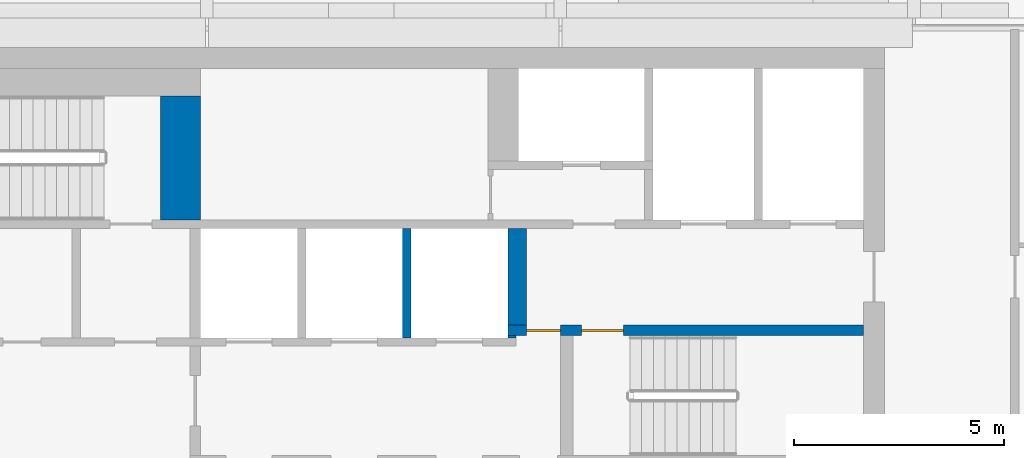
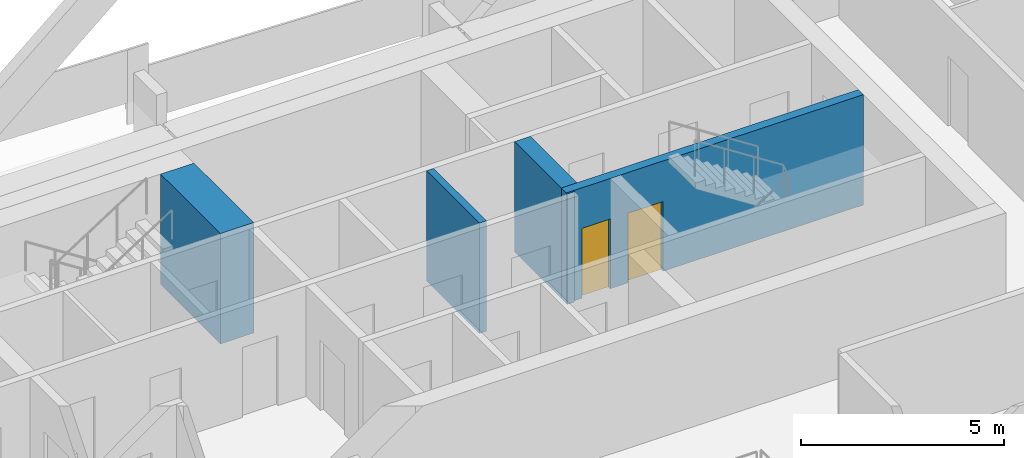
# One storey, part 15 of 22: 5 walls, 2 doors, 2 openings.
"""IFC4 building model written with IfcOpenShell, lengths in metres."""

from ifc_helpers import new_model, si_unit, direction, frame, frame_2d, origin, place, context, subcontext, project, spatial, rectangle, extrude, material, layer, layer_set, type_object, element, fill, save


model = new_model("IFC4")

# Units and contexts
model_context = context("Model", 3, precision=1e-05, world=origin(), true_north=direction((0.0, 1.0)))
body_context = subcontext(model_context, "Body", "Model", "MODEL_VIEW")
ifc_project = project(units=[si_unit("LENGTHUNIT", "METRE"), si_unit("AREAUNIT", "SQUARE_METRE"), si_unit("VOLUMEUNIT", "CUBIC_METRE"), si_unit("PLANEANGLEUNIT", "RADIAN"), si_unit("MASSUNIT", "GRAM", prefix="KILO")], contexts=[model_context])

# Site, building, storey
site_placement = place(None, origin())
site = spatial("IfcSite", under=ifc_project, at=site_placement, CompositionType="ELEMENT")
building_placement = place(site_placement, origin())
building = spatial("IfcBuilding", under=site, at=building_placement, Name="Saffron Gate Tower", CompositionType="ELEMENT")
storey_placement = place(building_placement, frame((0.0, 0.0, 285.14990234375)))
storey = spatial("IfcBuildingStorey", under=building, at=storey_placement, Name="L69", CompositionType="ELEMENT", Elevation=285.14990234375)

# Wall, openings, doors
ifc_material_1 = material(Name="Concrete C50", Category="concrete")
ifc_layer_1 = layer(ifc_material_1, 0.25)
ifc_layer_set_1 = layer_set([ifc_layer_1], Name="CW23 RC core wall 250 C50")
wall_type_1 = type_object("IfcWallType", Name="CW23 RC core wall 250 C50", PredefinedType="SOLIDWALL", material=ifc_layer_set_1)
wall_1_placement = place(storey_placement, frame((98.949951171875, 68.175048828125, 0.0), z_axis=(0.0, 0.0, 1.0), x_axis=(1.0, 0.0, 0.0)))
wall_1 = element("IfcWall", 1, at=wall_1_placement, inside=storey, type_object=wall_type_1, Name="Wall CW23-L69-30", PredefinedType="SOLIDWALL", context=body_context, shape_type="SweptSolid", body=[
    extrude(rectangle(XDim=8.449951171875, YDim=0.25, at=frame_2d((4.22509765625, 0.0))), origin(), (0.0, 0.0, 1.0), 3.320068359375),
])
opening_1_placement = place(wall_1_placement, frame((0.449951171875, 0.0, 0.0)))
opening_1 = element("IfcOpeningElement", 2, at=opening_1_placement, cuts=wall_1, Name="Opening CR-05", PredefinedType="OPENING", context=body_context, shape_type="SweptSolid", body=[
    extrude(rectangle(XDim=0.800048828125, YDim=2.10009765625, at=frame_2d((0.39990234375, 1.050048828125))), frame((0.0, 0.135009765625, 0.0), z_axis=(0.0, -1.0, 0.0), x_axis=(1.0, 0.0, 0.0)), (0.0, 0.0, 1.0), 0.27001953125),
])
opening_2_placement = place(wall_1_placement, frame((1.75, 0.0, 0.0)))
opening_2 = element("IfcOpeningElement", 3, at=opening_2_placement, cuts=wall_1, Name="Opening CR-16", PredefinedType="OPENING", context=body_context, shape_type="SweptSolid", body=[
    extrude(rectangle(XDim=1.0, YDim=2.10009765625, at=frame_2d((0.5, 1.050048828125))), frame((0.0, 0.135009765625, 0.0), z_axis=(0.0, -1.0, 0.0), x_axis=(1.0, 0.0, 0.0)), (0.0, 0.0, 1.0), 0.27001953125),
])
ifc_material_2 = material(Name="Steel fire door set", Category="steel")
door_type_1 = type_object("IfcDoorType", Name="CD5 Stair door 1000x2100 EI 120", OperationType="NOTDEFINED", PredefinedType="DOOR", material=ifc_material_2)
door_1_placement = place(opening_2_placement, origin())
door_1 = element("IfcDoor", 4, at=door_1_placement, inside=storey, type_object=door_type_1, Name="DOOR CR-16", OperationType="SINGLE_SWING_RIGHT", OverallHeight=2.10009765625, OverallWidth=1.0, PredefinedType="DOOR", context=body_context, shape_type="SweptSolid", body=[
    extrude(rectangle(XDim=1.0, YDim=2.10009765625, at=frame_2d((0.5, 1.050048828125))), frame((0.0, 0.02490234375, 0.0), z_axis=(0.0, -1.0, 0.0), x_axis=(1.0, 0.0, 0.0)), (0.0, 0.0, 1.0), 0.050048828125),
])
fill(opening_2, door_1)
door_type_2 = type_object("IfcDoorType", Name="CD6 Lobby door 800x2100 EI 120", OperationType="NOTDEFINED", PredefinedType="DOOR", material=ifc_material_2)
door_2_placement = place(opening_1_placement, origin())
door_2 = element("IfcDoor", 5, at=door_2_placement, inside=storey, type_object=door_type_2, Name="DOOR CR-05", OperationType="SINGLE_SWING_LEFT", OverallHeight=2.10009765625, OverallWidth=0.800048828125, PredefinedType="DOOR", context=body_context, shape_type="SweptSolid", body=[
    extrude(rectangle(XDim=0.800048828125, YDim=2.10009765625, at=frame_2d((0.39990234375, 1.050048828125))), frame((0.0, 0.02490234375, 0.0), z_axis=(0.0, -1.0, 0.0), x_axis=(1.0, 0.0, 0.0)), (0.0, 0.0, 1.0), 0.050048828125),
])
fill(opening_1, door_2)

# Walls
ifc_layer_2 = layer(ifc_material_1, 0.449951171875)
ifc_layer_set_2 = layer_set([ifc_layer_2], Name="CW24 RC core wall 450 C50")
wall_type_2 = type_object("IfcWallType", Name="CW24 RC core wall 450 C50", PredefinedType="SOLIDWALL", material=ifc_layer_set_2)
wall_2_placement = place(storey_placement, frame((99.175048828125, 68.300048828125, 0.0), z_axis=(0.0, 0.0, 1.0), x_axis=(0.0, 1.0, 0.0)))
element("IfcWall", 6, at=wall_2_placement, inside=storey, type_object=wall_type_2, Name="Wall CW24-L69-32", PredefinedType="SOLIDWALL", context=body_context, shape_type="SweptSolid", body=[
    extrude(rectangle(XDim=2.300048828125, YDim=0.449951171875, at=frame_2d((1.14990234375, 0.0))), origin(), (0.0, 0.0, 1.0), 3.320068359375),
])
ifc_layer_3 = layer(ifc_material_1, 0.199951171875)
ifc_layer_set_3 = layer_set([ifc_layer_3], Name="CW25 RC core wall 200 C50")
wall_type_3 = type_object("IfcWallType", Name="CW25 RC core wall 200 C50", PredefinedType="SOLIDWALL", material=ifc_layer_set_3)
wall_3_placement = place(storey_placement, frame((96.550048828125, 68.0, 0.0), z_axis=(0.0, 0.0, 1.0), x_axis=(0.0, 1.0, 0.0)))
element("IfcWall", 7, at=wall_3_placement, inside=storey, type_object=wall_type_3, Name="Wall CW25-L69-27", PredefinedType="SOLIDWALL", context=body_context, shape_type="SweptSolid", body=[
    extrude(rectangle(XDim=2.60009765625, YDim=0.199951171875, at=frame_2d((1.300048828125, 0.0))), origin(), (0.0, 0.0, 1.0), 3.320068359375),
])
ifc_layer_4 = layer(ifc_material_1, 0.050048828125)
ifc_layer_set_4 = layer_set([ifc_layer_4], Name="CW27 RC core wall 50 C50")
wall_type_4 = type_object("IfcWallType", Name="CW27 RC core wall 50 C50", PredefinedType="SOLIDWALL", material=ifc_layer_set_4)
wall_4_placement = place(storey_placement, frame((98.949951171875, 68.02490234375, 0.0), z_axis=(0.0, 0.0, 1.0), x_axis=(1.0, 0.0, 0.0)))
element("IfcWall", 8, at=wall_4_placement, inside=storey, type_object=wall_type_4, Name="Wall CW27-L69-28", PredefinedType="SOLIDWALL", context=body_context, shape_type="SweptSolid", body=[
    extrude(rectangle(XDim=0.199951171875, YDim=0.050048828125, at=frame_2d((0.10009765625, 0.0))), origin(), (0.0, 0.0, 1.0), 3.320068359375),
])
ifc_layer_5 = layer(ifc_material_1, 0.949951171875)
ifc_layer_set_5 = layer_set([ifc_layer_5], Name="CW28 RC core wall 950 C50")
wall_type_5 = type_object("IfcWallType", Name="CW28 RC core wall 950 C50", PredefinedType="SOLIDWALL", material=ifc_layer_set_5)
wall_5_placement = place(storey_placement, frame((91.175048828125, 70.800048828125, 0.0), z_axis=(0.0, 0.0, 1.0), x_axis=(0.0, 1.0, 0.0)))
element("IfcWall", 9, at=wall_5_placement, inside=storey, type_object=wall_type_5, Name="Wall CW28-L69-38", PredefinedType="SOLIDWALL", context=body_context, shape_type="SweptSolid", body=[
    extrude(rectangle(XDim=2.949951171875, YDim=0.949951171875, at=frame_2d((1.47509765625, 0.0))), origin(), (0.0, 0.0, 1.0), 3.320068359375),
])

save(model, "model.ifc")
